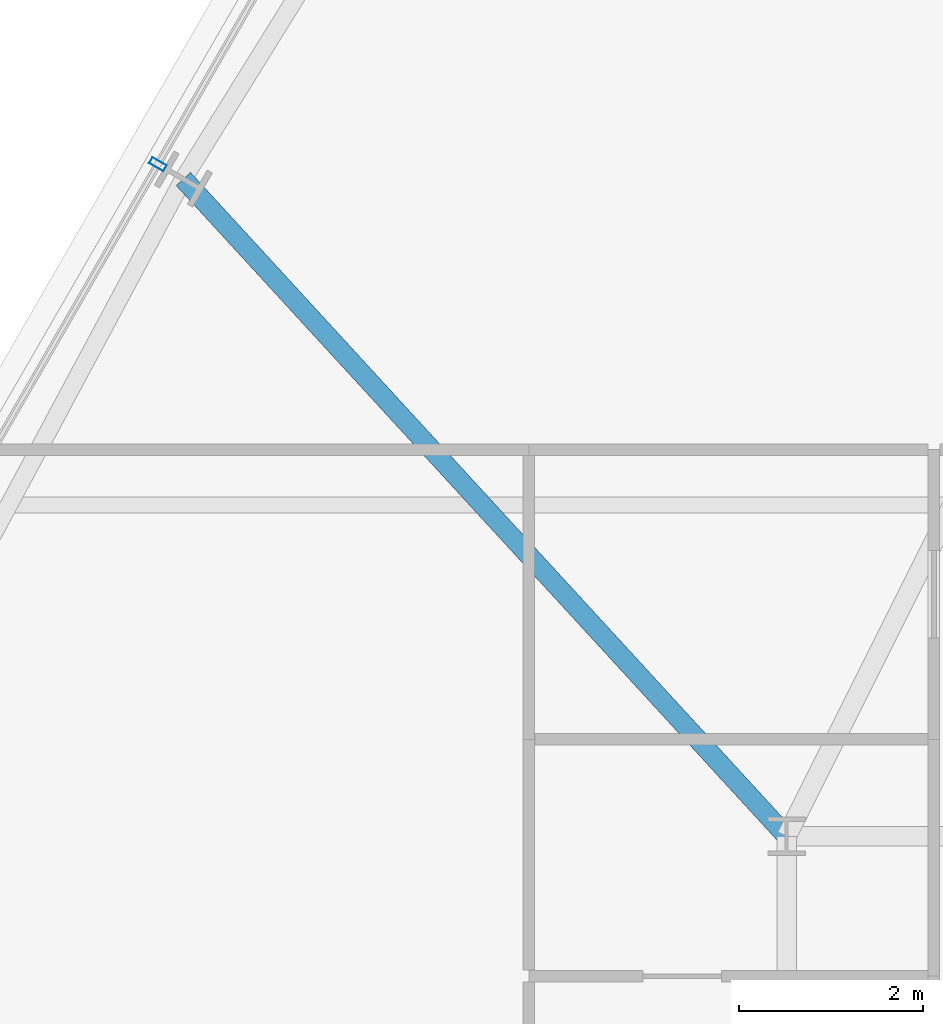
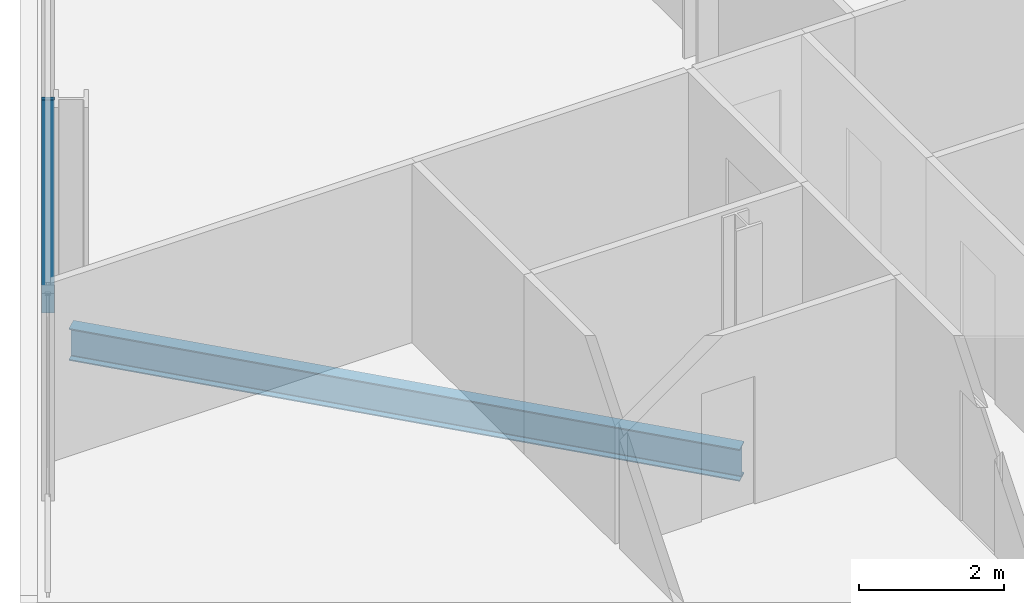
# One storey, part 12 of 33: 1 beam, 1 member, 1 element without a shape of its own.
"""IFC4 building model written with IfcOpenShell, lengths in metres."""

from ifc_helpers import new_model, si_unit, direction, frame, origin, origin_2d, place, context, subcontext, project, spatial, hollow_rectangle, i_section, extrude, material, layer, layer_set, material_profile, profile_set, type_object, element, aggregate, save


model = new_model("IFC4")

# Units and contexts
model_context = context("Model", 3, precision=1e-05, world=origin(), true_north=direction((0.0, 1.0)))
body_context = subcontext(model_context, "Body", "Model", "MODEL_VIEW")
ifc_project = project(units=[si_unit("LENGTHUNIT", "METRE"), si_unit("AREAUNIT", "SQUARE_METRE"), si_unit("VOLUMEUNIT", "CUBIC_METRE"), si_unit("PLANEANGLEUNIT", "RADIAN"), si_unit("MASSUNIT", "GRAM", prefix="KILO")], contexts=[model_context])

# Site, building, storey
site_placement = place(None, origin())
site = spatial("IfcSite", under=ifc_project, at=site_placement, CompositionType="ELEMENT")
building_placement = place(site_placement, origin())
building = spatial("IfcBuilding", under=site, at=building_placement, Name="Ndaravel Arena Tower", CompositionType="ELEMENT")
storey_placement = place(building_placement, frame((0.0, 0.0, 149.800048828125)))
storey = spatial("IfcBuildingStorey", under=building, at=storey_placement, Name="L35", CompositionType="ELEMENT", Elevation=149.800048828125)

# Beam
ifc_material_1 = material(Name="Steel S355", Category="steel")
ifc_material_profile_1 = material_profile(ifc_material_1, i_section(OverallWidth=0.210693359375, OverallDepth=0.53955078125, WebThickness=0.01171875, FlangeThickness=0.018798828125, FilletRadius=0.0126953125, at=origin_2d()), Name="UB 533x210x109")
ifc_profile_set_1 = profile_set([ifc_material_profile_1], Name="Steel S355")
beam_type = type_object("IfcBeamType", Name="BM-GIRD-UB533", PredefinedType="BEAM", material=ifc_profile_set_1)
beam_placement = place(storey_placement, frame((27.647216796875, 30.339599609375, -0.48974609375), z_axis=(0.676176261824, -0.736739888255, 0.0), x_axis=(0.736739888255, 0.676176261824, 0.0)))
element("IfcBeam", 1, at=beam_placement, inside=storey, type_object=beam_type, Name="L35 Radial Floor Girder FG-19", PredefinedType="BEAM", context=body_context, shape_type="SweptSolid", body=[
    extrude(i_section(OverallWidth=0.210693359375, OverallDepth=0.53955078125, WebThickness=0.01171875, FlangeThickness=0.018798828125, FilletRadius=0.0126953125, at=origin_2d()), origin(), (0.0, 0.0, 1.0), 9.69091796875),
])

# Curtain wall, member
ifc_material_2 = material(Name="Aluminium", Category="aluminium")
ifc_layer = layer(ifc_material_2, 0.179931640625)
ifc_layer_set = layer_set([ifc_layer], Name="Aluminium")
curtain_wall_type = type_object("IfcCurtainWallType", Name="CW-SYS-03", PredefinedType="NOTDEFINED", material=ifc_layer_set)
curtain_wall_placement = place(storey_placement, origin())
curtain_wall = element("IfcCurtainWall", 2, at=curtain_wall_placement, inside=storey, type_object=curtain_wall_type, Name="L35 Faceted Crystal Curtain Wall CW-L35-E05", PredefinedType="NOTDEFINED")
ifc_material_3 = material(Name="Aluminium", Category="aluminium")
ifc_material_profile_2 = material_profile(ifc_material_3, hollow_rectangle(XDim=0.074951171875, YDim=0.179931640625, WallThickness=0.00390625, at=origin_2d()), Name="CW MULLION 75x180x4")
ifc_profile_set_2 = profile_set([ifc_material_profile_2], Name="Aluminium")
member_type = type_object("IfcMemberType", Name="MEM-CW-MUL180", PredefinedType="MULLION", material=ifc_profile_set_2)
member_placement = place(storey_placement, frame((27.3701171875, 30.49951171875, 0.0), z_axis=(0.0, 0.0, 1.0), x_axis=(-0.5, -0.866025403784, 0.0)))
member = element("IfcMember", 3, at=member_placement, type_object=member_type, Name="CW-L35-E05 Mullion 04", PredefinedType="MULLION", context=body_context, shape_type="SweptSolid", body=[
    extrude(hollow_rectangle(XDim=0.074951171875, YDim=0.179931640625, WallThickness=0.00390625, at=origin_2d()), origin(), (0.0, 0.0, 1.0), 3.579833984375),
])
aggregate(curtain_wall, [member])

save(model, "model.ifc")
